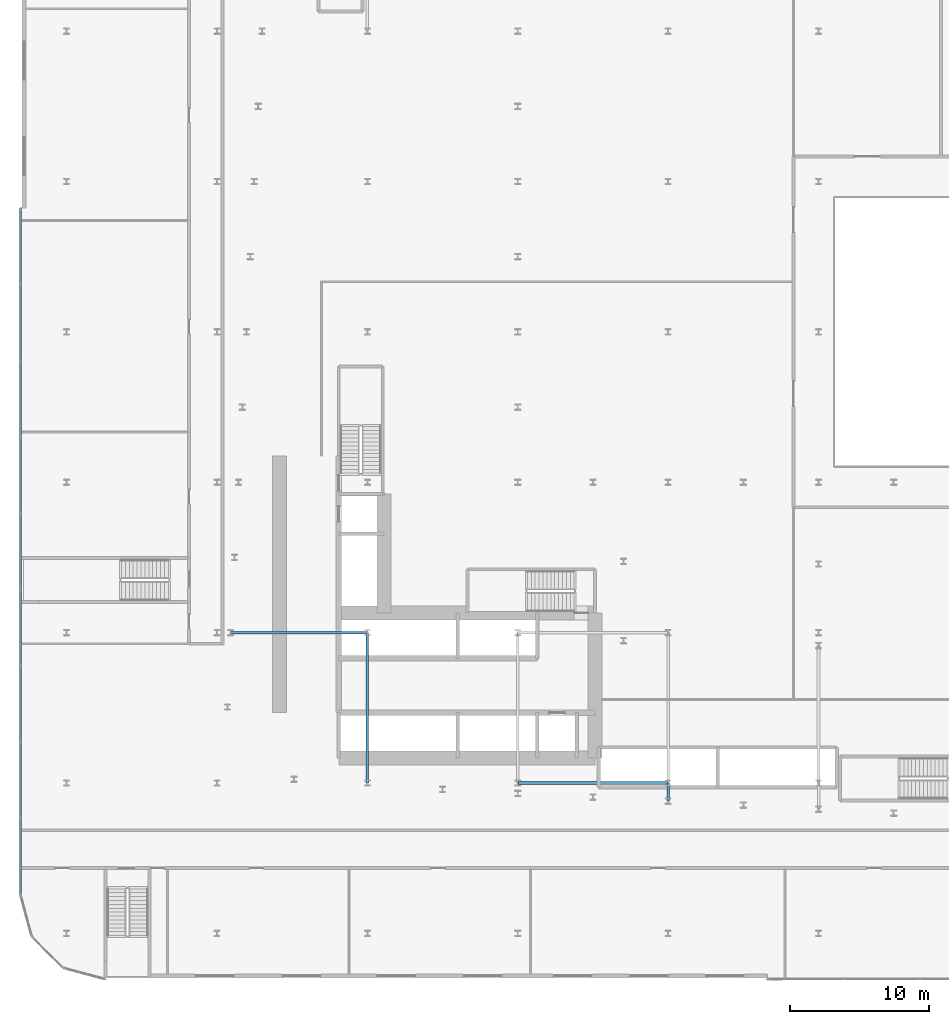
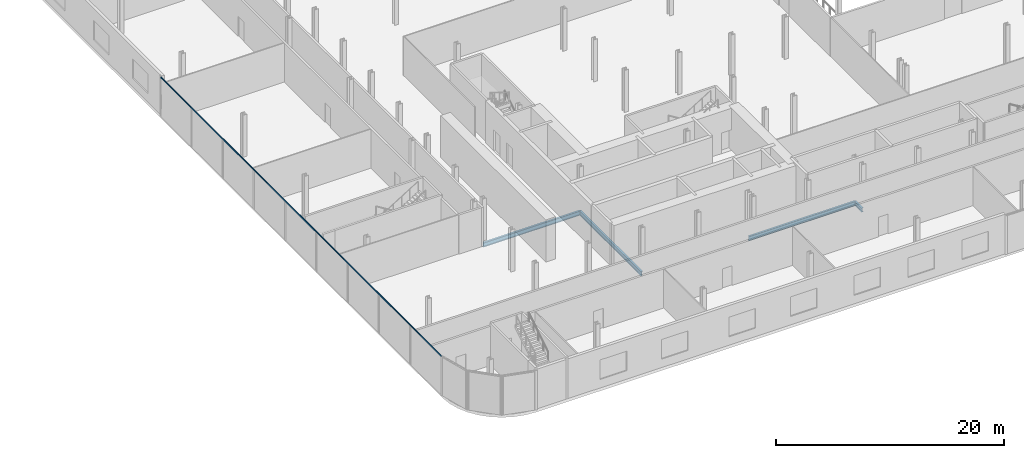
# One storey, part 7 of 47: 4 beams, 1 member, 1 element without a shape of its own.
"""IFC4 building model written with IfcOpenShell, lengths in metres."""

from ifc_helpers import new_model, si_unit, direction, frame, origin, origin_2d, place, context, subcontext, project, spatial, rectangle, i_section, extrude, material, layer, layer_set, material_profile, profile_set, type_object, element, aggregate, save


model = new_model("IFC4")

# Units and contexts
model_context = context("Model", 3, precision=1e-05, world=origin(), true_north=direction((0.0, 1.0)))
body_context = subcontext(model_context, "Body", "Model", "MODEL_VIEW")
ifc_project = project(units=[si_unit("LENGTHUNIT", "METRE"), si_unit("AREAUNIT", "SQUARE_METRE"), si_unit("VOLUMEUNIT", "CUBIC_METRE"), si_unit("PLANEANGLEUNIT", "RADIAN"), si_unit("MASSUNIT", "GRAM", prefix="KILO")], contexts=[model_context])

# Site, building, storey
site_placement = place(None, origin())
site = spatial("IfcSite", under=ifc_project, at=site_placement, CompositionType="ELEMENT")
building_placement = place(site_placement, origin())
building = spatial("IfcBuilding", under=site, at=building_placement, Name="Kheshtan School and Residences Tower", CompositionType="ELEMENT")
storey_placement = place(building_placement, frame((0.0, 0.0, 21.5)))
storey = spatial("IfcBuildingStorey", under=building, at=storey_placement, Name="L04", CompositionType="ELEMENT", Elevation=21.5)

# Beams
ifc_material_1 = material(Name="Steel ASTM A992 Grade 50", Category="steel")
ifc_material_profile_1 = material_profile(ifc_material_1, i_section(OverallWidth=0.180908203125, OverallDepth=0.4169921875, WebThickness=0.010986328125, FlangeThickness=0.018310546875, FilletRadius=0.012451171875, at=origin_2d()), Name="W410x85")
ifc_profile_set_1 = profile_set([ifc_material_profile_1], Name="Steel ASTM A992 Grade 50")
beam_type_1 = type_object("IfcBeamType", Name="Beam PB1 W410x85 ASTM A992 Grade 50", PredefinedType="BEAM", material=ifc_profile_set_1)
beam_1_placement = place(storey_placement, frame((58.39990234375, 22.699951171875, -0.528564453125), z_axis=(0.0, 1.0, 0.0), x_axis=(-1.0, 0.0, 0.0)))
element("IfcBeam", 1, at=beam_1_placement, inside=storey, type_object=beam_type_1, Name="Podium floor beam PB1", PredefinedType="BEAM", context=body_context, shape_type="SweptSolid", body=[
    extrude(i_section(OverallWidth=0.180908203125, OverallDepth=0.4169921875, WebThickness=0.010986328125, FlangeThickness=0.018310546875, FilletRadius=0.012451171875, at=origin_2d()), origin(), (0.0, 0.0, 1.0), 1.300048828125),
])
ifc_material_profile_2 = material_profile(ifc_material_1, i_section(OverallWidth=0.194091796875, OverallDepth=0.468994140625, WebThickness=0.0126953125, FlangeThickness=0.0205078125, FilletRadius=0.01416015625, at=origin_2d()), Name="W460x106")
ifc_profile_set_2 = profile_set([ifc_material_profile_2], Name="Steel ASTM A992 Grade 50")
beam_type_2 = type_object("IfcBeamType", Name="Beam PB2 W460x106 ASTM A992 Grade 50", PredefinedType="BEAM", material=ifc_profile_set_2)
beam_2_placement = place(storey_placement, frame((36.800048828125, 24.0, -0.554443359375), z_axis=(0.0, 1.0, 0.0), x_axis=(-1.0, 0.0, 0.0)))
element("IfcBeam", 2, at=beam_2_placement, inside=storey, type_object=beam_type_2, Name="Podium floor beam PB2", PredefinedType="BEAM", context=body_context, shape_type="SweptSolid", body=[
    extrude(i_section(OverallWidth=0.194091796875, OverallDepth=0.468994140625, WebThickness=0.0126953125, FlangeThickness=0.0205078125, FilletRadius=0.01416015625, at=origin_2d()), origin(), (0.0, 0.0, 1.0), 10.800048828125),
])
beam_3_placement = place(storey_placement, frame((47.60009765625, 24.0, -0.554443359375), z_axis=(1.0, 0.0, 0.0), x_axis=(0.0, 1.0, 0.0)))
element("IfcBeam", 3, at=beam_3_placement, inside=storey, type_object=beam_type_2, Name="Podium floor beam PB2", PredefinedType="BEAM", context=body_context, shape_type="SweptSolid", body=[
    extrude(i_section(OverallWidth=0.194091796875, OverallDepth=0.468994140625, WebThickness=0.0126953125, FlangeThickness=0.0205078125, FilletRadius=0.01416015625, at=origin_2d()), origin(), (0.0, 0.0, 1.0), 10.7998046875),
])
beam_4_placement = place(storey_placement, frame((26.969970703125, 34.800048828125, -0.554443359375), z_axis=(1.0, 0.0, 0.0), x_axis=(0.0, 1.0, 0.0)))
element("IfcBeam", 4, at=beam_4_placement, inside=storey, type_object=beam_type_2, Name="Podium floor beam PB2", PredefinedType="BEAM", context=body_context, shape_type="SweptSolid", body=[
    extrude(i_section(OverallWidth=0.194091796875, OverallDepth=0.468994140625, WebThickness=0.0126953125, FlangeThickness=0.0205078125, FilletRadius=0.01416015625, at=origin_2d()), origin(), (0.0, 0.0, 1.0), 9.830078125),
])

# Curtain wall, member
ifc_material_2 = material(Name="Clear low-e glass in thermally broken aluminium frame", Category="aluminium")
ifc_layer = layer(ifc_material_2, 0.22509765625)
ifc_layer_set = layer_set([ifc_layer], Name="Curtain wall CW-P")
curtain_wall_type = type_object("IfcCurtainWallType", Name="Curtain wall CW-P", PredefinedType="NOTDEFINED", material=ifc_layer_set)
curtain_wall_placement = place(storey_placement, origin())
curtain_wall = element("IfcCurtainWall", 5, at=curtain_wall_placement, inside=storey, type_object=curtain_wall_type, Name="Curtain wall CWP16a", PredefinedType="NOTDEFINED")
ifc_material_3 = material(Name="Thermally broken aluminium, dark bronze anodised", Category="aluminium")
ifc_material_profile_3 = material_profile(ifc_material_3, rectangle(XDim=0.06005859375, YDim=0.139892578125, at=origin_2d()), Name="CW-P transom 60x140")
ifc_profile_set_3 = profile_set([ifc_material_profile_3], Name="Thermally broken aluminium, dark bronze anodised")
member_type = type_object("IfcMemberType", Name="CW-P transom 60x140", PredefinedType="USERDEFINED", material=ifc_profile_set_3)
member_placement = place(storey_placement, frame((11.89990234375, 15.97509765625, 4.179931640625), z_axis=(0.0, 1.0, 0.0), x_axis=(-1.0, 0.0, 0.0)))
member = element("IfcMember", 6, at=member_placement, type_object=member_type, Name="CWP16a transom 1", ObjectType="TRANSOM", PredefinedType="USERDEFINED", context=body_context, shape_type="SweptSolid", body=[
    extrude(rectangle(XDim=0.06005859375, YDim=0.139892578125, at=origin_2d()), origin(), (0.0, 0.0, 1.0), 49.244873046875),
])
aggregate(curtain_wall, [member])

save(model, "model.ifc")
